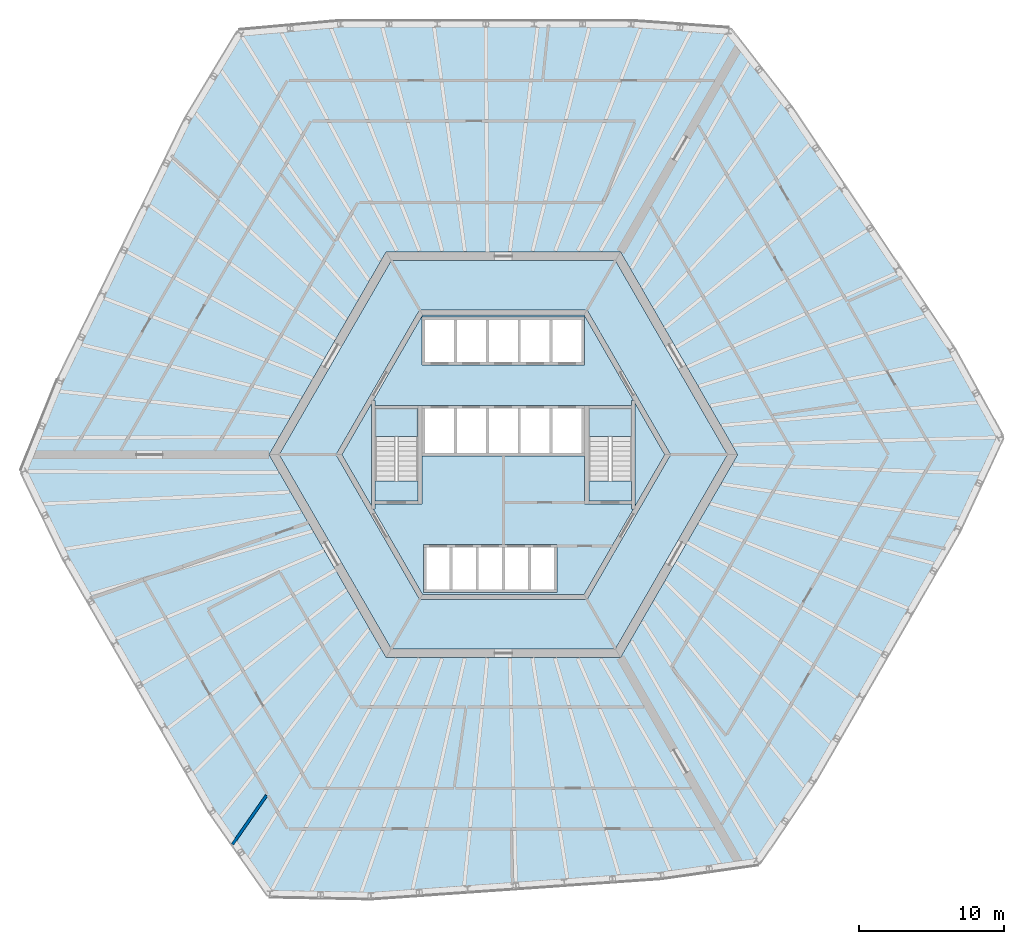
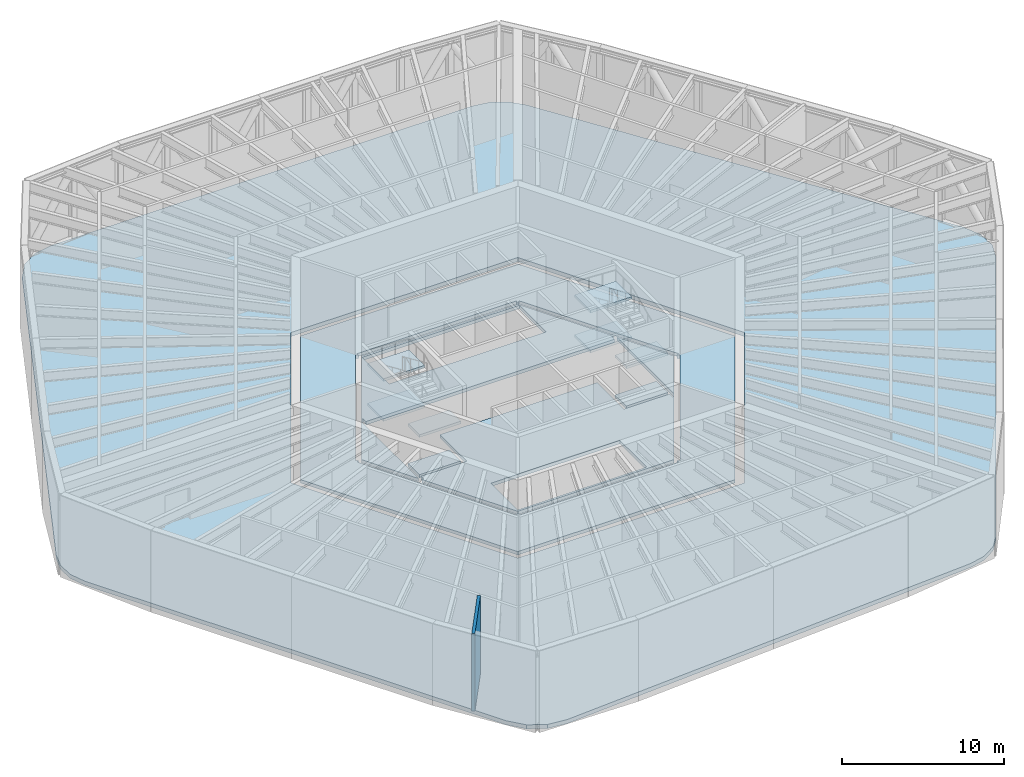
# One storey, part 5 of 11: 14 slabs, 1 wall, 2 elements without a shape of their own.
"""IFC4 building model written with IfcOpenShell, lengths in metres."""

from ifc_helpers import new_model, si_unit, direction, frame, frame_2d, origin, place, context, subcontext, project, spatial, polyline, rectangle, outline, extrude, material, layer, layer_set, type_object, element, aggregate, save


model = new_model("IFC4")

# Units and contexts
model_context = context("Model", 3, precision=1e-05, world=origin(), true_north=direction((0.0, 1.0)))
body_context = subcontext(model_context, "Body", "Model", "MODEL_VIEW")
ifc_project = project(units=[si_unit("LENGTHUNIT", "METRE"), si_unit("AREAUNIT", "SQUARE_METRE"), si_unit("VOLUMEUNIT", "CUBIC_METRE"), si_unit("PLANEANGLEUNIT", "RADIAN"), si_unit("MASSUNIT", "GRAM", prefix="KILO")], contexts=[model_context])

# Site, building, storey
site_placement = place(None, origin())
site = spatial("IfcSite", under=ifc_project, at=site_placement, CompositionType="ELEMENT")
building_placement = place(site_placement, origin())
building = spatial("IfcBuilding", under=site, at=building_placement, Name="Tarnside Tower", CompositionType="ELEMENT")
storey_placement = place(building_placement, frame((0.0, 0.0, 31.5)))
storey = spatial("IfcBuildingStorey", under=building, at=storey_placement, Name="L05", CompositionType="ELEMENT", Elevation=31.5)

# Slabs
ifc_material_1 = material(Name="Concrete C35/45", Category="concrete")
ifc_layer_1 = layer(ifc_material_1, 0.300048828125)
ifc_layer_set_1 = layer_set([ifc_layer_1], Name="Composite floor slab 300")
slab_type_1 = type_object("IfcSlabType", Name="Composite floor slab 300", PredefinedType="FLOOR", material=ifc_layer_set_1)
slab_1_placement = place(storey_placement, frame((0.0, 0.0, -0.300048828125)))
element("IfcSlab", 1, at=slab_1_placement, inside=storey, type_object=slab_type_1, Name="Floor slab L05", PredefinedType="FLOOR", context=body_context, shape_type="SweptSolid", body=[
    extrude(outline(polyline([(14.947998046875, 29.325439453125), (15.953125, 28.791015625), (16.74658203125, 27.9501953125), (33.541259765625, 3.05078125), (34.063720703125, 1.839599609375), (34.109130859375, 0.541259765625), (33.67236328125, -0.70361328125), (18.655517578125, -26.7138671875), (17.922607421875, -27.60791015625), (16.95703125, -28.21142578125), (15.832275390625, -28.47802734375), (-14.128662109375, -30.572998046875), (-15.43896484375, -30.419921875), (-16.5859375, -29.81005859375), (-17.445556640625, -28.809326171875), (-32.462646484375, -2.79931640625), (-32.87060546875, -1.717529296875), (-32.910400390625, -0.57958984375), (-32.578857421875, 0.52783203125), (-19.41259765625, 27.522216796875), (-18.625, 28.580322265625), (-17.523193359375, 29.268798828125), (-16.226806640625, 29.512939453125), (13.80712890625, 29.512939453125), (14.947998046875, 29.325439453125)]), holes=[polyline([(-16.165771484375, 0.0), (-8.0830078125, -14.0), (8.0830078125, -14.0), (16.165771484375, 0.0), (8.0830078125, 14.0), (-8.0830078125, 14.0), (-16.165771484375, 0.0)])]), origin(), (0.0, 0.0, 1.0), 0.300048828125),
])
ifc_material_2 = material(Name="Concrete C40/50", Category="concrete")
ifc_layer_2 = layer(ifc_material_2, 0.25)
ifc_layer_set_2 = layer_set([ifc_layer_2], Name="Core slab C40/50")
slab_type_2 = type_object("IfcSlabType", Name="Core slab C40/50", PredefinedType="FLOOR", material=ifc_layer_set_2)
slab_2_placement = place(storey_placement, frame((0.0, 0.0, -0.25)))
element("IfcSlab", 2, at=slab_2_placement, inside=storey, type_object=slab_type_2, Name="L05 core floor slab 1", PredefinedType="FLOOR", context=body_context, shape_type="SweptSolid", body=[
    extrude(outline(polyline([(-15.472900390625, 0.0), (-7.736572265625, 13.39990234375), (7.736572265625, 13.39990234375), (15.472900390625, 0.0), (7.736572265625, -13.39990234375), (-7.736572265625, -13.39990234375), (-15.472900390625, 0.0)]), holes=[polyline([(5.823974609375, -9.91259765625), (11.49658203125, -0.08740234375), (11.344970703125, 0.0), (11.49658203125, 0.08740234375), (5.823974609375, 9.91259765625), (5.672607421875, 9.824951171875), (5.672607421875, 10.0), (-5.672607421875, 10.0), (-5.672607421875, 9.824951171875), (-5.823974609375, 9.91259765625), (-11.49658203125, 0.08740234375), (-11.344970703125, 0.0), (-11.49658203125, -0.08740234375), (-5.823974609375, -9.91259765625), (-5.672607421875, -9.824951171875), (-5.672607421875, -10.0), (5.672607421875, -10.0), (5.672607421875, -9.824951171875), (5.823974609375, -9.91259765625)])]), origin(), (0.0, 0.0, 1.0), 0.25),
])
slab_3_placement = place(storey_placement, frame((0.0, 0.0, -0.25)))
element("IfcSlab", 3, at=slab_3_placement, inside=storey, type_object=slab_type_2, Name="L05 core floor slab 2", PredefinedType="FLOOR", context=body_context, shape_type="SweptSolid", body=[
    extrude(outline(polyline([(-8.97509765625, 3.7548828125), (-5.5712890625, 9.64990234375), (5.5712890625, 9.64990234375), (8.97509765625, 3.7548828125), (8.85009765625, 3.7548828125), (8.85009765625, 3.39990234375), (5.89990234375, 3.39990234375), (5.60009765625, 3.39990234375), (5.60009765625, 3.39990234375), (-5.60009765625, 3.39990234375), (-5.89990234375, 3.39990234375), (-8.85009765625, 3.39990234375), (-8.85009765625, 3.7548828125), (-8.97509765625, 3.7548828125)]), holes=[polyline([(-5.60009765625, 6.199951171875), (5.60009765625, 6.199951171875), (5.60009765625, 6.39990234375), (5.60009765625, 9.300048828125), (5.60009765625, 9.5), (-5.60009765625, 9.5), (-5.60009765625, 9.300048828125), (-5.60009765625, 6.39990234375), (-5.60009765625, 6.199951171875)])]), origin(), (0.0, 0.0, 1.0), 0.25),
])
slab_4_placement = place(storey_placement, frame((0.0, 0.0, -0.25)))
element("IfcSlab", 4, at=slab_4_placement, inside=storey, type_object=slab_type_2, Name="L05 core floor slab 3", PredefinedType="FLOOR", context=body_context, shape_type="SweptSolid", body=[
    extrude(outline(polyline([(5.60009765625, -3.39990234375), (5.89990234375, -3.39990234375), (8.85009765625, -3.39990234375), (8.85009765625, -3.7548828125), (8.97509765625, -3.7548828125), (5.5712890625, -9.64990234375), (-5.5712890625, -9.64990234375), (-8.97509765625, -3.7548828125), (-8.85009765625, -3.7548828125), (-8.85009765625, -3.39990234375), (-5.89990234375, -3.39990234375), (-5.60009765625, -3.39990234375), (-5.60009765625, -0.10009765625), (5.60009765625, -0.10009765625), (5.60009765625, -3.39990234375)]), holes=[polyline([(-5.5, -9.300048828125), (-5.5, -9.5), (3.699951171875, -9.5), (3.699951171875, -9.300048828125), (3.699951171875, -6.39990234375), (3.699951171875, -6.199951171875), (-5.5, -6.199951171875), (-5.5, -6.39990234375), (-5.5, -9.300048828125)])]), origin(), (0.0, 0.0, 1.0), 0.25),
])
slab_5_placement = place(storey_placement, frame((0.0, 0.0, -0.25)))
element("IfcSlab", 5, at=slab_5_placement, inside=storey, type_object=slab_type_2, Name="L05 core floor slab 4", PredefinedType="FLOOR", context=body_context, shape_type="SweptSolid", body=[
    extrude(outline(polyline([(-11.142822265625, 0.0), (-9.10009765625, 3.538330078125), (-9.10009765625, -3.538330078125), (-11.142822265625, 0.0)])), origin(), (0.0, 0.0, 1.0), 0.25),
])
slab_6_placement = place(storey_placement, frame((0.0, 0.0, -0.25)))
element("IfcSlab", 6, at=slab_6_placement, inside=storey, type_object=slab_type_2, Name="L05 core floor slab 5", PredefinedType="FLOOR", context=body_context, shape_type="SweptSolid", body=[
    extrude(outline(polyline([(-8.85009765625, -1.800048828125), (-5.89990234375, -1.800048828125), (-5.89990234375, -3.199951171875), (-8.85009765625, -3.199951171875), (-8.85009765625, -1.800048828125)])), origin(), (0.0, 0.0, 1.0), 0.25),
])
slab_7_placement = place(storey_placement, frame((0.0, 0.0, -0.25)))
element("IfcSlab", 7, at=slab_7_placement, inside=storey, type_object=slab_type_2, Name="L05 core floor slab 6", PredefinedType="FLOOR", context=body_context, shape_type="SweptSolid", body=[
    extrude(outline(polyline([(5.89990234375, -3.199951171875), (5.89990234375, -1.800048828125), (8.85009765625, -1.800048828125), (8.85009765625, -3.199951171875), (5.89990234375, -3.199951171875)])), origin(), (0.0, 0.0, 1.0), 0.25),
])
slab_8_placement = place(storey_placement, frame((0.0, 0.0, -0.25)))
element("IfcSlab", 8, at=slab_8_placement, inside=storey, type_object=slab_type_2, Name="L05 core floor slab 7", PredefinedType="FLOOR", context=body_context, shape_type="SweptSolid", body=[
    extrude(outline(polyline([(9.10009765625, -3.538330078125), (9.10009765625, 3.538330078125), (11.142822265625, 0.0), (9.10009765625, -3.538330078125)])), origin(), (0.0, 0.0, 1.0), 0.25),
])

# Stair, slabs
stair_type = type_object("IfcStairType", Name="Exit stair 1400 clear", PredefinedType="HALF_TURN_STAIR", material=ifc_material_2)
stair_1_placement = place(storey_placement, origin())
stair_1 = element("IfcStair", 9, at=stair_1_placement, inside=storey, type_object=stair_type, Name="L05 Exit stair 1", PredefinedType="HALF_TURN_STAIR")
ifc_layer_3 = layer(ifc_material_2, 0.199951171875)
ifc_layer_set_3 = layer_set([ifc_layer_3], Name="Stair landing 200 C40/50")
slab_type_3 = type_object("IfcSlabType", Name="Stair landing 200 C40/50", PredefinedType="LANDING", material=ifc_layer_set_3)
slab_9_placement = place(storey_placement, frame((0.0, 0.0, 1.300048828125)))
slab_9 = element("IfcSlab", 10, at=slab_9_placement, type_object=slab_type_3, Name="ST1 landing 1", PredefinedType="LANDING", context=body_context, shape_type="SweptSolid", body=[
    extrude(outline(polyline([(8.85009765625, 1.260009765625), (8.85009765625, 3.199951171875), (5.89990234375, 3.199951171875), (5.89990234375, 1.260009765625), (8.85009765625, 1.260009765625)])), origin(), (0.0, 0.0, 1.0), 0.199951171875),
])
slab_10_placement = place(storey_placement, frame((0.0, 0.0, 2.800048828125)))
slab_10 = element("IfcSlab", 11, at=slab_10_placement, type_object=slab_type_3, Name="ST1 landing 2", PredefinedType="LANDING", context=body_context, shape_type="SweptSolid", body=[
    extrude(outline(polyline([(8.85009765625, -3.199951171875), (8.85009765625, -1.800048828125), (5.89990234375, -1.800048828125), (5.89990234375, -3.199951171875), (8.85009765625, -3.199951171875)])), origin(), (0.0, 0.0, 1.0), 0.199951171875),
])
slab_11_placement = place(storey_placement, frame((0.0, 0.0, 4.300048828125)))
slab_11 = element("IfcSlab", 12, at=slab_11_placement, type_object=slab_type_3, Name="ST1 landing 3", PredefinedType="LANDING", context=body_context, shape_type="SweptSolid", body=[
    extrude(outline(polyline([(8.85009765625, 1.260009765625), (8.85009765625, 3.199951171875), (5.89990234375, 3.199951171875), (5.89990234375, 1.260009765625), (8.85009765625, 1.260009765625)])), origin(), (0.0, 0.0, 1.0), 0.199951171875),
])
aggregate(stair_1, [slab_9, slab_10, slab_11])

stair_2_placement = place(storey_placement, origin())
stair_2 = element("IfcStair", 13, at=stair_2_placement, inside=storey, type_object=stair_type, Name="L05 Exit stair 2", PredefinedType="HALF_TURN_STAIR")
slab_12_placement = place(storey_placement, frame((0.0, 0.0, 1.300048828125)))
slab_12 = element("IfcSlab", 14, at=slab_12_placement, type_object=slab_type_3, Name="ST2 landing 1", PredefinedType="LANDING", context=body_context, shape_type="SweptSolid", body=[
    extrude(outline(polyline([(-5.89990234375, 1.260009765625), (-5.89990234375, 3.199951171875), (-8.85009765625, 3.199951171875), (-8.85009765625, 1.260009765625), (-5.89990234375, 1.260009765625)])), origin(), (0.0, 0.0, 1.0), 0.199951171875),
])
slab_13_placement = place(storey_placement, frame((0.0, 0.0, 2.800048828125)))
slab_13 = element("IfcSlab", 15, at=slab_13_placement, type_object=slab_type_3, Name="ST2 landing 2", PredefinedType="LANDING", context=body_context, shape_type="SweptSolid", body=[
    extrude(outline(polyline([(-5.89990234375, -3.199951171875), (-5.89990234375, -1.800048828125), (-8.85009765625, -1.800048828125), (-8.85009765625, -3.199951171875), (-5.89990234375, -3.199951171875)])), origin(), (0.0, 0.0, 1.0), 0.199951171875),
])
slab_14_placement = place(storey_placement, frame((0.0, 0.0, 4.300048828125)))
slab_14 = element("IfcSlab", 16, at=slab_14_placement, type_object=slab_type_3, Name="ST2 landing 3", PredefinedType="LANDING", context=body_context, shape_type="SweptSolid", body=[
    extrude(outline(polyline([(-5.89990234375, 1.260009765625), (-5.89990234375, 3.199951171875), (-8.85009765625, 3.199951171875), (-8.85009765625, 1.260009765625), (-5.89990234375, 1.260009765625)])), origin(), (0.0, 0.0, 1.0), 0.199951171875),
])
aggregate(stair_2, [slab_12, slab_13, slab_14])

# Wall
ifc_material_3 = material(Name="Concrete C32/40", Category="concrete")
ifc_layer_4 = layer(ifc_material_3, 0.199951171875)
ifc_layer_set_4 = layer_set([ifc_layer_4], Name="Wall 200 reinforced Concrete C32/40")
wall_type = type_object("IfcWallType", Name="Wall 200 reinforced Concrete C32/40", PredefinedType="PARTITIONING", material=ifc_layer_set_4)
wall_placement = place(storey_placement, frame((-18.689208984375, -26.89013671875, 0.0), z_axis=(0.0, 0.0, 1.0), x_axis=(0.570657976863, 0.821187842971, 0.0)))
element("IfcWall", 17, at=wall_placement, inside=storey, type_object=wall_type, Name="Partition 007", PredefinedType="PARTITIONING", context=body_context, shape_type="SweptSolid", body=[
    extrude(rectangle(XDim=4.1005859375, YDim=0.199951171875, at=frame_2d((2.05029296875, 0.0))), origin(), (0.0, 0.0, 1.0), 5.85009765625),
])

save(model, "model.ifc")
